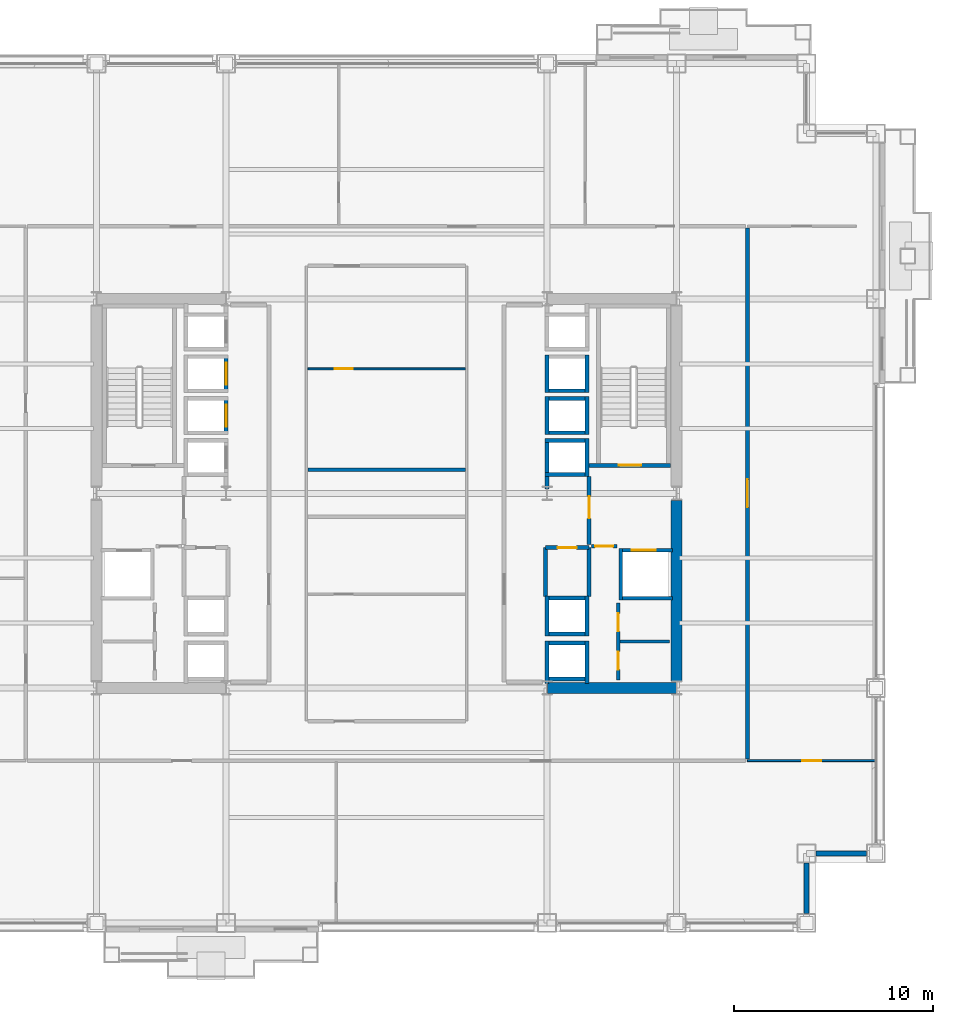
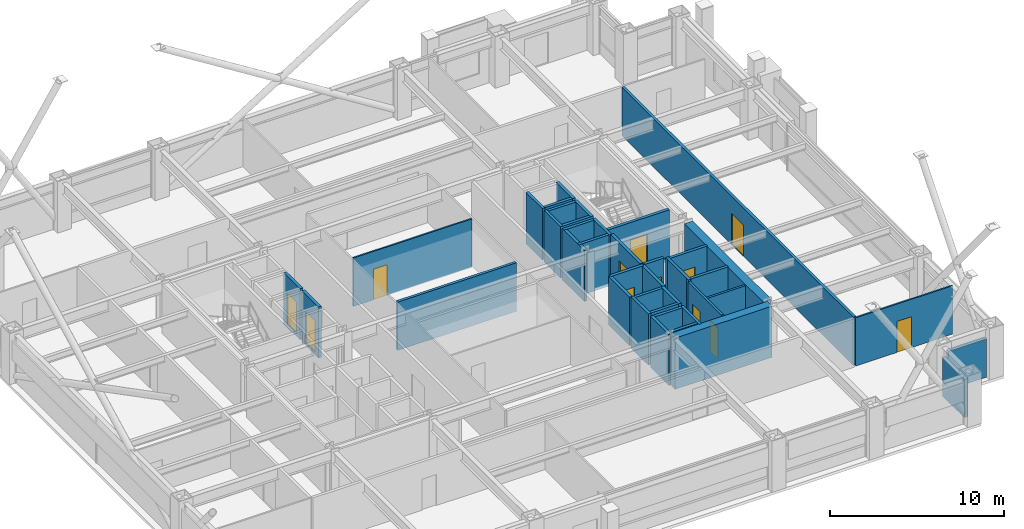
# One storey, part 28 of 33: 40 walls, 12 doors, 12 openings.
"""IFC4 building model written with IfcOpenShell, lengths in metres."""

import ifcopenshell
import ifcopenshell.guid

model = None  # the IFC model being written
_history = None  # IfcOwnerHistory: only IFC2X3 demands one
_inside = {}  # id of a spatial element -> (the spatial element, [elements in it])
_under = {}  # id of a project, library or spatial element -> (it, [spatial elements below it])
_declared = {}  # id of a project -> (the project, [libraries it declares])
_typed = {}  # id of a type object -> (the type object, [elements of that type])
_made_of = {}  # id of a material, layer set ... -> (it, [elements and type objects made of it])


def new_model(schema):
    """Start an empty IFC model of exactly this schema.

    Asked for "IFC4X3", IfcOpenShell would pick the latest addendum, in which some entities
    have other attributes; the version numbers below select the first issue.
    IFC2X3 requires an IfcOwnerHistory on every rooted entity: one is made here for all.
    """
    global model, _history
    if schema == "IFC4X3":
        model = ifcopenshell.file(schema_version=(4, 3, 0, 0))
    else:
        model = ifcopenshell.file(schema=schema)
    _inside.clear()
    _under.clear()
    _declared.clear()
    _typed.clear()
    _made_of.clear()
    _history = None
    if model.schema == "IFC2X3":
        org = make("IfcOrganization", Name="unknown")
        user = make(
            "IfcPersonAndOrganization",
            ThePerson=make("IfcPerson", FamilyName="unknown"),
            TheOrganization=org,
        )
        app = make(
            "IfcApplication",
            ApplicationDeveloper=org,
            Version="unknown",
            ApplicationFullName="unknown",
            ApplicationIdentifier="unknown",
        )
        _history = make(
            "IfcOwnerHistory",
            OwningUser=user,
            OwningApplication=app,
            ChangeAction="ADDED",
            CreationDate=0,
        )
    return model


def make(cls, **values):
    """One entity of the class cls with the attributes given. An attribute that is None is left unset."""
    return model.create_entity(
        cls, **{name: value for name, value in values.items() if value is not None}
    )


def rooted(cls, **values):
    """An entity with a GlobalId (a new one), such as an element, a storey or a relation."""
    return make(cls, GlobalId=ifcopenshell.guid.new(), OwnerHistory=_history, **values)


def si_unit(unit_type, name, prefix=None):
    """IfcSIUnit, for example si_unit("LENGTHUNIT", "METRE", prefix="MILLI")."""
    return make("IfcSIUnit", UnitType=unit_type, Prefix=prefix, Name=name)


def assignment(units):
    """IfcUnitAssignment: the units of a project."""
    return None if units is None else make("IfcUnitAssignment", Units=units)


def point(xyz):
    """IfcCartesianPoint."""
    return None if xyz is None else make("IfcCartesianPoint", Coordinates=xyz)


def direction(xyz):
    """IfcDirection."""
    return None if xyz is None else make("IfcDirection", DirectionRatios=xyz)


def frame(location, z_axis=None, x_axis=None):
    """IfcAxis2Placement3D, a coordinate frame: its origin and axes. An axis left out is left unset."""
    return make(
        "IfcAxis2Placement3D",
        Location=point(location),
        Axis=direction(z_axis),
        RefDirection=direction(x_axis),
    )


def frame_2d(location, x_axis=None):
    """IfcAxis2Placement2D, a coordinate frame in the plane: its origin and x axis."""
    return make(
        "IfcAxis2Placement2D", Location=point(location), RefDirection=direction(x_axis)
    )


def origin():
    """The frame at (0, 0, 0) with its axes left unset."""
    return frame((0.0, 0.0, 0.0))


def place(relative_to, where):
    """IfcLocalPlacement: puts the frame where relative to a parent placement (None: the world)."""
    return make(
        "IfcLocalPlacement", PlacementRelTo=relative_to, RelativePlacement=where
    )


def context(
    kind, dimensions, precision=None, world=None, true_north=None, identifier=None
):
    """IfcGeometricRepresentationContext, for example the 3D "Model" context."""
    return make(
        "IfcGeometricRepresentationContext",
        ContextIdentifier=identifier,
        ContextType=kind,
        CoordinateSpaceDimension=dimensions,
        Precision=precision,
        WorldCoordinateSystem=world,
        TrueNorth=true_north,
    )


def subcontext(parent, identifier, kind, view, scale=None):
    """IfcGeometricRepresentationSubContext, for example "Body" below "Model"."""
    return make(
        "IfcGeometricRepresentationSubContext",
        ContextIdentifier=identifier,
        ContextType=kind,
        ParentContext=parent,
        TargetScale=scale,
        TargetView=view,
    )


def project(units=None, contexts=None):
    """IfcProject with its units and contexts."""
    return rooted(
        "IfcProject",
        Name="project",
        RepresentationContexts=contexts,
        UnitsInContext=assignment(units),
    )


def spatial(cls, under=None, at=None, **own):
    """A site, building, storey or space (cls), placed at a placement, below another one or the project."""
    s = rooted(cls, ObjectPlacement=at, **own)
    if under is not None:
        _under.setdefault(under.id(), (under, []))[1].append(s)
    return s


def profile(cls, at=None, kind="AREA", **sizes):
    """A parametric profile (cls). Its sizes go by their IFC names, for example OverallWidth=200.0."""
    return make(cls, ProfileType=kind, Position=at, **sizes)


def rectangle(**sizes):
    """IfcRectangleProfileDef."""
    return profile("IfcRectangleProfileDef", **sizes)


def extrude(swept, where, along, depth):
    """IfcExtrudedAreaSolid: the profile swept, set in the frame where, extruded along a direction by depth."""
    return make(
        "IfcExtrudedAreaSolid",
        SweptArea=swept,
        Position=where,
        ExtrudedDirection=direction(along),
        Depth=depth,
    )


def shape(context_of_items, identifier, shape_type, items):
    """IfcShapeRepresentation: the items that make up one representation, for example the "Body"."""
    return make(
        "IfcShapeRepresentation",
        ContextOfItems=context_of_items,
        RepresentationIdentifier=identifier,
        RepresentationType=shape_type,
        Items=items,
    )


def material(Name=None, Category=None):
    """IfcMaterial."""
    return make("IfcMaterial", Name=Name, Category=Category)


def layer(
    of_material, thickness, ventilated=None, Name=None, Category=None, Priority=None
):
    """IfcMaterialLayer: one layer of a wall or slab, of a material (None: an air gap)."""
    return make(
        "IfcMaterialLayer",
        Material=of_material,
        LayerThickness=thickness,
        IsVentilated=ventilated,
        Name=Name,
        Category=Category,
        Priority=Priority,
    )


def layer_set(layers, Name=None):
    """IfcMaterialLayerSet."""
    return make("IfcMaterialLayerSet", MaterialLayers=layers, LayerSetName=Name)


def made_of(thing, what):
    """Note that an element or type object is made of a material, layer set ...; save() writes the relation."""
    if what is not None:
        _made_of.setdefault(what.id(), (what, []))[1].append(thing)
    return thing


def type_object(cls, material=None, **own):
    """A type object (cls), such as IfcWallType, which elements share."""
    return made_of(rooted(cls, **own), material)


def element(
    cls,
    number,
    at=None,
    inside=None,
    cuts=None,
    type_object=None,
    material=None,
    context=None,
    identifier="Body",
    shape_type=None,
    held_by="IfcProductDefinitionShape",
    body=None,
    shapes=None,
    **own,
):
    """One element of the class cls, such as IfcWall. Its Tag is "e" and its number.

    at: its placement. inside: the storey or other place that contains it. cuts: it is an
    opening in that element (IfcRelVoidsElement). A single representation is given by context,
    identifier, shape_type and body (its items); several are given by shapes. held_by: the class
    of the entity that holds the representations. save() writes the other relations.
    """
    e = rooted(cls, Tag="e%d" % number, ObjectPlacement=at, **own)
    if body is not None:
        shapes = [shape(context, identifier, shape_type, body)]
    if shapes is not None:
        e.Representation = make(held_by, Representations=shapes)
    if inside is not None:
        _inside.setdefault(inside.id(), (inside, []))[1].append(e)
    if cuts is not None:
        rooted(
            "IfcRelVoidsElement", RelatingBuildingElement=cuts, RelatedOpeningElement=e
        )
    if type_object is not None:
        _typed.setdefault(type_object.id(), (type_object, []))[1].append(e)
    return made_of(e, material)


def fill(opening, filler):
    """IfcRelFillsElement: the door or window that sits in an opening."""
    return rooted(
        "IfcRelFillsElement",
        RelatingOpeningElement=opening,
        RelatedBuildingElement=filler,
    )


def aggregate(whole, parts):
    """IfcRelAggregates: a whole, such as a stair, and the parts it consists of."""
    return rooted("IfcRelAggregates", RelatingObject=whole, RelatedObjects=parts)


def save(model, path):
    """Write the relations noted so far, then the file.

    IfcRelAggregates (storeys below a building ...), IfcRelContainedInSpatialStructure (elements
    in a storey), IfcRelDefinesByType, IfcRelAssociatesMaterial and IfcRelDeclares: one each for
    every whole, place, type object, material and project.
    """
    for whole, parts in _under.values():
        aggregate(whole, parts)
    for where, things in _inside.values():
        rooted(
            "IfcRelContainedInSpatialStructure",
            RelatedElements=things,
            RelatingStructure=where,
        )
    for kind, things in _typed.values():
        rooted("IfcRelDefinesByType", RelatedObjects=things, RelatingType=kind)
    for what, things in _made_of.values():
        rooted("IfcRelAssociatesMaterial", RelatedObjects=things, RelatingMaterial=what)
    for by, libraries in _declared.values():
        rooted("IfcRelDeclares", RelatingContext=by, RelatedDefinitions=libraries)
    model.write(path)


model = new_model("IFC4")

# Units and contexts
model_context = context("Model", 3, precision=1e-05, world=origin(), true_north=direction((0.0, 1.0)))
body_context = subcontext(model_context, "Body", "Model", "MODEL_VIEW")
ifc_project = project(units=[si_unit("LENGTHUNIT", "METRE"), si_unit("AREAUNIT", "SQUARE_METRE"), si_unit("VOLUMEUNIT", "CUBIC_METRE"), si_unit("PLANEANGLEUNIT", "RADIAN"), si_unit("MASSUNIT", "GRAM", prefix="KILO")], contexts=[model_context])

# Site, building, storey
site_placement = place(None, origin())
site = spatial("IfcSite", under=ifc_project, at=site_placement, CompositionType="ELEMENT")
building_placement = place(site_placement, origin())
building = spatial("IfcBuilding", under=site, at=building_placement, Name="Brelmoor Portico Tower", CompositionType="ELEMENT")
storey_placement = place(building_placement, frame((0.0, 0.0, 34.800048828125)))
storey = spatial("IfcBuildingStorey", under=building, at=storey_placement, Name="L08", CompositionType="ELEMENT", Elevation=34.800048828125)

# Walls
ifc_material_1 = material(Name="Concrete C60", Category="concrete")
ifc_layer_1 = layer(ifc_material_1, 0.550048828125)
ifc_layer_set_1 = layer_set([ifc_layer_1], Name="Concrete C60")
wall_type_1 = type_object("IfcWallType", Name="WL-CORE-550", PredefinedType="SHEAR", material=ifc_layer_set_1)
wall_1_placement = place(storey_placement, frame((8.070068359375, -9.75, -0.199951171875), z_axis=(0.0, 0.0, 1.0), x_axis=(1.0, 0.0, 0.0)))
element("IfcWall", 1, at=wall_1_placement, inside=storey, type_object=wall_type_1, Name="L08 EC South Shear Wall", PredefinedType="SHEAR", context=body_context, shape_type="SweptSolid", body=[
    extrude(rectangle(XDim=6.4599609375, YDim=0.550048828125, at=frame_2d((3.22998046875, 0.0))), origin(), (0.0, 0.0, 1.0), 3.599853515625),
])
wall_2_placement = place(storey_placement, frame((14.550048828125, -9.39990234375, -0.199951171875), z_axis=(0.0, 0.0, 1.0), x_axis=(0.0, 1.0, 0.0)))
element("IfcWall", 2, at=wall_2_placement, inside=storey, type_object=wall_type_1, Name="L08 EC Outer South Shear Wall", PredefinedType="SHEAR", context=body_context, shape_type="SweptSolid", body=[
    extrude(rectangle(XDim=9.0498046875, YDim=0.550048828125, at=frame_2d((4.52490234375, 0.0))), origin(), (0.0, 0.0, 1.0), 3.599853515625),
])
ifc_material_2 = material(Name="Precast Concrete C40 Insulated Facade Wall", Category="concrete")
ifc_layer_2 = layer(ifc_material_2, 0.25)
ifc_layer_set_2 = layer_set([ifc_layer_2], Name="Precast Concrete C40 Insulated Facade Wall")
wall_type_2 = type_object("IfcWallType", Name="WL-EXT-250", PredefinedType="STANDARD", material=ifc_layer_set_2)
for number, where, z_axis, x_axis, name in (
    (3, (21.534912109375, -18.050048828125, 0.0), (0.0, 0.0, 1.0), (1.0, 0.0, 0.0), "L08 Corner Notch Facade Wall NSEH1"),
    (4, (21.050048828125, -21.06494140625, 0.0), (0.0, 0.0, 1.0), (0.0, 1.0, 0.0), "L08 Corner Notch Facade Wall NSEV1"),
):
    element("IfcWall", number, at=place(storey_placement, frame(where, z_axis=z_axis, x_axis=x_axis)), inside=storey, type_object=wall_type_2, Name=name, PredefinedType="STANDARD", context=body_context, shape_type="SweptSolid", body=[
        extrude(rectangle(XDim=2.530029296875, YDim=0.25, at=frame_2d((1.26513671875, 0.0))), origin(), (0.0, 0.0, 1.0), 2.699951171875),
    ])

# Wall, opening, door
ifc_material_3 = material(Name="Demountable Glazed Office Partition", Category="aluminium")
ifc_layer_3 = layer(ifc_material_3, 0.10009765625)
ifc_layer_set_3 = layer_set([ifc_layer_3], Name="Demountable Glazed Office Partition")
wall_type_3 = type_object("IfcWallType", Name="WL-PART-100", PredefinedType="PARTITIONING", material=ifc_layer_set_3)
wall_3_placement = place(storey_placement, frame((-3.949951171875, 6.239990234375, 0.0), z_axis=(0.0, 0.0, 1.0), x_axis=(1.0, 0.0, 0.0)))
wall_3 = element("IfcWall", 5, at=wall_3_placement, inside=storey, type_object=wall_type_3, Name="L08 Central Archive Divider", PredefinedType="PARTITIONING", context=body_context, shape_type="SweptSolid", body=[
    extrude(rectangle(XDim=7.89990234375, YDim=0.10009765625, at=frame_2d((3.949951171875, 0.0))), origin(), (0.0, 0.0, 1.0), 3.39990234375),
])
opening_1_placement = place(wall_3_placement, frame((1.35009765625, 0.0, 0.0)))
opening_1 = element("IfcOpeningElement", 6, at=opening_1_placement, cuts=wall_3, Name="Opening D-IN1", PredefinedType="OPENING", context=body_context, shape_type="SweptSolid", body=[
    extrude(rectangle(XDim=0.89990234375, YDim=2.14990234375, at=frame_2d((0.449951171875, 1.074951171875))), frame((0.0, 0.06005859375, 0.0), z_axis=(0.0, -1.0, 0.0), x_axis=(1.0, 0.0, 0.0)), (0.0, 0.0, 1.0), 0.1201171875),
])
ifc_material_4 = material(Name="Lacquered Timber Suite Door", Category="wood")
door_type_1 = type_object("IfcDoorType", Name="DR-INT-900", OperationType="NOTDEFINED", PredefinedType="DOOR", material=ifc_material_4)
door_1_placement = place(opening_1_placement, origin())
door_1 = element("IfcDoor", 7, at=door_1_placement, inside=storey, type_object=door_type_1, Name="D-0349 L08 Central File Room Door", OperationType="SINGLE_SWING_LEFT", OverallHeight=2.14990234375, OverallWidth=0.89990234375, PredefinedType="DOOR", context=body_context, shape_type="SweptSolid", body=[
    extrude(rectangle(XDim=0.89990234375, YDim=2.14990234375, at=frame_2d((0.449951171875, 1.074951171875))), frame((0.0, 0.02490234375, 0.0), z_axis=(0.0, -1.0, 0.0), x_axis=(1.0, 0.0, 0.0)), (0.0, 0.0, 1.0), 0.050048828125),
])
fill(opening_1, door_1)

wall_4_placement = place(storey_placement, frame((18.10009765625, -13.39990234375, 0.0), z_axis=(0.0, 0.0, 1.0), x_axis=(1.0, 0.0, 0.0)))
wall_4 = element("IfcWall", 8, at=wall_4_placement, inside=storey, type_object=wall_type_3, Name="L08 South Outer Closure ER", PredefinedType="PARTITIONING", context=body_context, shape_type="SweptSolid", body=[
    extrude(rectangle(XDim=6.4599609375, YDim=0.10009765625, at=frame_2d((3.22998046875, 0.0))), origin(), (0.0, 0.0, 1.0), 3.39990234375),
])
opening_2_placement = place(wall_4_placement, frame((2.75, 0.0, 0.0)))
opening_2 = element("IfcOpeningElement", 9, at=opening_2_placement, cuts=wall_4, Name="Opening D-IN2", PredefinedType="OPENING", context=body_context, shape_type="SweptSolid", body=[
    extrude(rectangle(XDim=0.9599609375, YDim=2.179931640625, at=frame_2d((0.47998046875, 1.08984375))), frame((0.0, 0.06005859375, 0.0), z_axis=(0.0, -1.0, 0.0), x_axis=(1.0, 0.0, 0.0)), (0.0, 0.0, 1.0), 0.1201171875),
])
door_type_2 = type_object("IfcDoorType", Name="DR-INT-950", OperationType="NOTDEFINED", PredefinedType="DOOR", material=ifc_material_4)
door_2_placement = place(opening_2_placement, origin())
door_2 = element("IfcDoor", 10, at=door_2_placement, inside=storey, type_object=door_type_2, Name="D-0376 L08 ER South Corner Suite Door", OperationType="SINGLE_SWING_LEFT", OverallHeight=2.179931640625, OverallWidth=0.9599609375, PredefinedType="DOOR", context=body_context, shape_type="SweptSolid", body=[
    extrude(rectangle(XDim=0.9599609375, YDim=2.179931640625, at=frame_2d((0.47998046875, 1.08984375))), frame((0.0, 0.02490234375, 0.0), z_axis=(0.0, -1.0, 0.0), x_axis=(1.0, 0.0, 0.0)), (0.0, 0.0, 1.0), 0.050048828125),
])
fill(opening_2, door_2)

# Wall
ifc_material_5 = material(Name="Insulated Stud Suite Partition", Category="gypsum")
ifc_layer_4 = layer(ifc_material_5, 0.139892578125)
ifc_layer_set_4 = layer_set([ifc_layer_4], Name="Insulated Stud Suite Partition")
wall_type_4 = type_object("IfcWallType", Name="WL-PART-140", PredefinedType="PARTITIONING", material=ifc_layer_set_4)
wall_5_placement = place(storey_placement, frame((11.699951171875, -7.425048828125, 0.0), z_axis=(0.0, 0.0, 1.0), x_axis=(1.0, 0.0, 0.0)))
element("IfcWall", 11, at=wall_5_placement, inside=storey, type_object=wall_type_4, Name="L08 E Core WC Divider 1", PredefinedType="PARTITIONING", context=body_context, shape_type="SweptSolid", body=[
    extrude(rectangle(XDim=2.5, YDim=0.139892578125, at=frame_2d((1.25, 0.0))), origin(), (0.0, 0.0, 1.0), 3.39990234375),
])

# Wall, openings, doors
ifc_material_6 = material(Name="Twin-Frame Acoustic Partition", Category="gypsum")
ifc_layer_5 = layer(ifc_material_6, 0.159912109375)
ifc_layer_set_5 = layer_set([ifc_layer_5], Name="Twin-Frame Acoustic Partition")
wall_type_5 = type_object("IfcWallType", Name="WL-PART-160", PredefinedType="PARTITIONING", material=ifc_layer_set_5)
wall_6_placement = place(storey_placement, frame((11.6201171875, -9.35009765625, 0.0), z_axis=(0.0, 0.0, 1.0), x_axis=(0.0, 1.0, 0.0)))
wall_6 = element("IfcWall", 12, at=wall_6_placement, inside=storey, type_object=wall_type_5, Name="L08 E Core Service Front Wall", PredefinedType="PARTITIONING", context=body_context, shape_type="SweptSolid", body=[
    extrude(rectangle(XDim=3.85009765625, YDim=0.159912109375, at=frame_2d((1.925048828125, 0.0))), origin(), (0.0, 0.0, 1.0), 3.39990234375),
])
opening_3_placement = place(wall_6_placement, frame((0.512451171875, 0.0, 0.0)))
opening_3 = element("IfcOpeningElement", 13, at=opening_3_placement, cuts=wall_6, Name="Opening D-IN1", PredefinedType="OPENING", context=body_context, shape_type="SweptSolid", body=[
    extrude(rectangle(XDim=0.89990234375, YDim=2.14990234375, at=frame_2d((0.449951171875, 1.074951171875))), frame((0.0, 0.08984375, 0.0), z_axis=(0.0, -1.0, 0.0), x_axis=(1.0, 0.0, 0.0)), (0.0, 0.0, 1.0), 0.179931640625),
])
opening_4_placement = place(wall_6_placement, frame((2.4375, 0.0, 0.0)))
opening_4 = element("IfcOpeningElement", 14, at=opening_4_placement, cuts=wall_6, Name="Opening D-IN1", PredefinedType="OPENING", context=body_context, shape_type="SweptSolid", body=[
    extrude(rectangle(XDim=0.89990234375, YDim=2.14990234375, at=frame_2d((0.449951171875, 1.074951171875))), frame((0.0, 0.08984375, 0.0), z_axis=(0.0, -1.0, 0.0), x_axis=(1.0, 0.0, 0.0)), (0.0, 0.0, 1.0), 0.179931640625),
])
door_3_placement = place(opening_3_placement, origin())
door_3 = element("IfcDoor", 15, at=door_3_placement, inside=storey, type_object=door_type_1, Name="D-0352 L08 E Male WC Door", OperationType="SINGLE_SWING_LEFT", OverallHeight=2.14990234375, OverallWidth=0.89990234375, PredefinedType="DOOR", context=body_context, shape_type="SweptSolid", body=[
    extrude(rectangle(XDim=0.89990234375, YDim=2.14990234375, at=frame_2d((0.449951171875, 1.074951171875))), frame((0.0, 0.02490234375, 0.0), z_axis=(0.0, -1.0, 0.0), x_axis=(1.0, 0.0, 0.0)), (0.0, 0.0, 1.0), 0.050048828125),
])
fill(opening_3, door_3)
door_4_placement = place(opening_4_placement, origin())
door_4 = element("IfcDoor", 16, at=door_4_placement, inside=storey, type_object=door_type_1, Name="D-0353 L08 E Female WC Door", OperationType="SINGLE_SWING_RIGHT", OverallHeight=2.14990234375, OverallWidth=0.89990234375, PredefinedType="DOOR", context=body_context, shape_type="SweptSolid", body=[
    extrude(rectangle(XDim=0.89990234375, YDim=2.14990234375, at=frame_2d((0.449951171875, 1.074951171875))), frame((0.0, 0.02490234375, 0.0), z_axis=(0.0, -1.0, 0.0), x_axis=(1.0, 0.0, 0.0)), (0.0, 0.0, 1.0), 0.050048828125),
])
fill(opening_4, door_4)

# Wall
ifc_material_7 = material(Name="Acoustic Corridor Fire Partition", Category="gypsum")
ifc_layer_6 = layer(ifc_material_7, 0.179931640625)
ifc_layer_set_6 = layer_set([ifc_layer_6], Name="Acoustic Corridor Fire Partition")
wall_type_6 = type_object("IfcWallType", Name="WL-PART-180", PredefinedType="PARTITIONING", material=ifc_layer_set_6)
wall_7_placement = place(storey_placement, frame((-3.949951171875, 1.179931640625, 0.0), z_axis=(0.0, 0.0, 1.0), x_axis=(1.0, 0.0, 0.0)))
element("IfcWall", 17, at=wall_7_placement, inside=storey, type_object=wall_type_6, Name="L08 Central Meeting South Wall", PredefinedType="PARTITIONING", context=body_context, shape_type="SweptSolid", body=[
    extrude(rectangle(XDim=7.89990234375, YDim=0.179931640625, at=frame_2d((3.949951171875, 0.0))), origin(), (0.0, 0.0, 1.0), 3.39990234375),
])

# Wall, opening, door
wall_8_placement = place(storey_placement, frame((18.10009765625, -13.320068359375, 0.0), z_axis=(0.0, 0.0, 1.0), x_axis=(0.0, 1.0, 0.0)))
wall_8 = element("IfcWall", 18, at=wall_8_placement, inside=storey, type_object=wall_type_6, Name="L08 E Wing Corridor Wall", PredefinedType="PARTITIONING", context=body_context, shape_type="SweptSolid", body=[
    extrude(rectangle(XDim=26.64013671875, YDim=0.179931640625, at=frame_2d((13.320068359375, 0.0))), origin(), (0.0, 0.0, 1.0), 3.39990234375),
])
opening_5_placement = place(wall_8_placement, frame((12.6201171875, 0.0, 0.0)))
opening_5 = element("IfcOpeningElement", 19, at=opening_5_placement, cuts=wall_8, Name="Opening D-SU2", PredefinedType="OPENING", context=body_context, shape_type="SweptSolid", body=[
    extrude(rectangle(XDim=1.39990234375, YDim=2.199951171875, at=frame_2d((0.699951171875, 1.10009765625))), frame((0.0, 0.099853515625, 0.0), z_axis=(0.0, -1.0, 0.0), x_axis=(1.0, 0.0, 0.0)), (0.0, 0.0, 1.0), 0.199951171875),
])
ifc_material_8 = material(Name="Double-Leaf Acoustic Suite Door", Category="timber")
door_type_3 = type_object("IfcDoorType", Name="DR-SUITE-1400", OperationType="NOTDEFINED", PredefinedType="DOOR", material=ifc_material_8)
door_5_placement = place(opening_5_placement, origin())
door_5 = element("IfcDoor", 20, at=door_5_placement, inside=storey, type_object=door_type_3, Name="D-0381 L08 E Project Mail Room 1 Door", OperationType="DOUBLE_DOOR_SINGLE_SWING", OverallHeight=2.199951171875, OverallWidth=1.39990234375, PredefinedType="DOOR", context=body_context, shape_type="SweptSolid", body=[
    extrude(rectangle(XDim=1.39990234375, YDim=2.199951171875, at=frame_2d((0.699951171875, 1.10009765625))), frame((0.0, 0.02490234375, 0.0), z_axis=(0.0, -1.0, 0.0), x_axis=(1.0, 0.0, 0.0)), (0.0, 0.0, 1.0), 0.050048828125),
])
fill(opening_5, door_5)

ifc_material_9 = material(Name="Double-Stud Gypsum Fire Partition", Category="gypsum")
ifc_layer_7 = layer(ifc_material_9, 0.199951171875)
ifc_layer_set_7 = layer_set([ifc_layer_7], Name="Double-Stud Gypsum Fire Partition")
wall_type_7 = type_object("IfcWallType", Name="WL-PART-200", PredefinedType="PARTITIONING", material=ifc_layer_set_7)
wall_9_placement = place(storey_placement, frame((10.159912109375, -2.550048828125, 0.0), z_axis=(0.0, 0.0, 1.0), x_axis=(0.0, 1.0, 0.0)))
wall_9 = element("IfcWall", 21, at=wall_9_placement, inside=storey, type_object=wall_type_7, Name="L08 E Firefighting Lobby Wall", PredefinedType="PARTITIONING", context=body_context, shape_type="SweptSolid", body=[
    extrude(rectangle(XDim=3.400146484375, YDim=0.199951171875, at=frame_2d((1.7001953125, 0.0))), origin(), (0.0, 0.0, 1.0), 3.39990234375),
])
opening_6_placement = place(wall_9_placement, frame((1.300048828125, 0.0, 0.0)))
opening_6 = element("IfcOpeningElement", 22, at=opening_6_placement, cuts=wall_9, Name="Opening D-FR1", PredefinedType="OPENING", context=body_context, shape_type="SweptSolid", body=[
    extrude(rectangle(XDim=1.10009765625, YDim=2.14990234375, at=frame_2d((0.550048828125, 1.074951171875))), frame((0.0, 0.10986328125, 0.0), z_axis=(0.0, -1.0, 0.0), x_axis=(1.0, 0.0, 0.0)), (0.0, 0.0, 1.0), 0.219970703125),
])
ifc_material_10 = material(Name="Painted Galvanised Steel Fire Door", Category="steel")
door_type_4 = type_object("IfcDoorType", Name="DR-FIRE-1100", OperationType="NOTDEFINED", PredefinedType="DOOR", material=ifc_material_10)
door_6_placement = place(opening_6_placement, origin())
door_6 = element("IfcDoor", 23, at=door_6_placement, inside=storey, type_object=door_type_4, Name="D-0360 L08 E Firefighting Lobby Door", OperationType="SINGLE_SWING_RIGHT", OverallHeight=2.14990234375, OverallWidth=1.10009765625, PredefinedType="DOOR", context=body_context, shape_type="SweptSolid", body=[
    extrude(rectangle(XDim=1.10009765625, YDim=2.14990234375, at=frame_2d((0.550048828125, 1.074951171875))), frame((0.0, 0.02490234375, 0.0), z_axis=(0.0, -1.0, 0.0), x_axis=(1.0, 0.0, 0.0)), (0.0, 0.0, 1.0), 0.050048828125),
])
fill(opening_6, door_6)

wall_10_placement = place(storey_placement, frame((10.280029296875, -2.64990234375, 0.0), z_axis=(0.0, 0.0, 1.0), x_axis=(1.0, 0.0, 0.0)))
wall_10 = element("IfcWall", 24, at=wall_10_placement, inside=storey, type_object=wall_type_7, Name="L08 E Firefighting Lobby South Wall", PredefinedType="PARTITIONING", context=body_context, shape_type="SweptSolid", body=[
    extrude(rectangle(XDim=1.27001953125, YDim=0.199951171875, at=frame_2d((0.635009765625, 0.0))), origin(), (0.0, 0.0, 1.0), 3.39990234375),
])
opening_7_placement = place(wall_10_placement, frame((0.18505859375, 0.0, 0.0)))
opening_7 = element("IfcOpeningElement", 25, at=opening_7_placement, cuts=wall_10, Name="Opening D-IN1", PredefinedType="OPENING", context=body_context, shape_type="SweptSolid", body=[
    extrude(rectangle(XDim=0.89990234375, YDim=2.14990234375, at=frame_2d((0.449951171875, 1.074951171875))), frame((0.0, 0.10986328125, 0.0), z_axis=(0.0, -1.0, 0.0), x_axis=(1.0, 0.0, 0.0)), (0.0, 0.0, 1.0), 0.219970703125),
])
door_7_placement = place(opening_7_placement, origin())
door_7 = element("IfcDoor", 26, at=door_7_placement, inside=storey, type_object=door_type_1, Name="D-0354 L08 E Core Service Vestibule Door", OperationType="SINGLE_SWING_LEFT", OverallHeight=2.14990234375, OverallWidth=0.89990234375, PredefinedType="DOOR", context=body_context, shape_type="SweptSolid", body=[
    extrude(rectangle(XDim=0.89990234375, YDim=2.14990234375, at=frame_2d((0.449951171875, 1.074951171875))), frame((0.0, 0.02490234375, 0.0), z_axis=(0.0, -1.0, 0.0), x_axis=(1.0, 0.0, 0.0)), (0.0, 0.0, 1.0), 0.050048828125),
])
fill(opening_7, door_7)

wall_11_placement = place(storey_placement, frame((7.9599609375, -2.719970703125, 0.0), z_axis=(0.0, 0.0, 1.0), x_axis=(1.0, 0.0, 0.0)))
wall_11 = element("IfcWall", 27, at=wall_11_placement, inside=storey, type_object=wall_type_7, Name="L08 E Electrical Switchgear Closet Wall", PredefinedType="PARTITIONING", context=body_context, shape_type="SweptSolid", body=[
    extrude(rectangle(XDim=2.199951171875, YDim=0.199951171875, at=frame_2d((1.10009765625, 0.0))), origin(), (0.0, 0.0, 1.0), 3.39990234375),
])
opening_8_placement = place(wall_11_placement, frame((0.6201171875, 0.0, 0.0)))
opening_8 = element("IfcOpeningElement", 28, at=opening_8_placement, cuts=wall_11, Name="Opening D-FR4", PredefinedType="OPENING", context=body_context, shape_type="SweptSolid", body=[
    extrude(rectangle(XDim=0.949951171875, YDim=2.10009765625, at=frame_2d((0.47509765625, 1.050048828125))), frame((0.0, 0.10986328125, 0.0), z_axis=(0.0, -1.0, 0.0), x_axis=(1.0, 0.0, 0.0)), (0.0, 0.0, 1.0), 0.219970703125),
])
ifc_material_11 = material(Name="Painted Galvanised Steel Riser Door", Category="steel")
door_type_5 = type_object("IfcDoorType", Name="DR-FIRE-950", OperationType="NOTDEFINED", PredefinedType="DOOR", material=ifc_material_11)
door_8_placement = place(opening_8_placement, origin())
door_8 = element("IfcDoor", 29, at=door_8_placement, inside=storey, type_object=door_type_5, Name="D-0358 L08 E Electrical Switchgear Closet Door", OperationType="SINGLE_SWING_RIGHT", OverallHeight=2.10009765625, OverallWidth=0.949951171875, PredefinedType="DOOR", context=body_context, shape_type="SweptSolid", body=[
    extrude(rectangle(XDim=0.949951171875, YDim=2.10009765625, at=frame_2d((0.47509765625, 1.050048828125))), frame((0.0, 0.02490234375, 0.0), z_axis=(0.0, -1.0, 0.0), x_axis=(1.0, 0.0, 0.0)), (0.0, 0.0, 1.0), 0.050048828125),
])
fill(opening_8, door_8)

# Walls
for number, where, z_axis, x_axis, name in (
    (30, (7.9599609375, -5.159912109375, 0.0), (0.0, 0.0, 1.0), (0.0, 1.0, 0.0), "L08 E Electrical Switchgear Closet Inner Wall"),
    (31, (10.159912109375, -5.159912109375, 0.0), (0.0, 0.0, 1.0), (0.0, 1.0, 0.0), "L08 E Electrical Switchgear Closet Outer Wall"),
):
    element("IfcWall", number, at=place(storey_placement, frame(where, z_axis=z_axis, x_axis=x_axis)), inside=storey, type_object=wall_type_7, Name=name, PredefinedType="PARTITIONING", context=body_context, shape_type="SweptSolid", body=[
        extrude(rectangle(XDim=2.43994140625, YDim=0.199951171875, at=frame_2d((1.219970703125, 0.0))), origin(), (0.0, 0.0, 1.0), 3.39990234375),
    ])

# Wall, opening, door
ifc_material_12 = material(Name="Precast Concrete C40", Category="concrete")
ifc_layer_8 = layer(ifc_material_12, 0.18994140625)
ifc_layer_set_8 = layer_set([ifc_layer_8], Name="Precast Concrete C40")
wall_type_8 = type_object("IfcWallType", Name="WL-SHAFT-180", PredefinedType="SOLIDWALL", material=ifc_layer_set_8)
wall_12_placement = place(storey_placement, frame((-8.044921875, 2.949951171875, -0.199951171875), z_axis=(0.0, 0.0, 1.0), x_axis=(0.0, 1.0, 0.0)))
wall_12 = element("IfcWall", 32, at=wall_12_placement, inside=storey, type_object=wall_type_8, Name="L08 Lift PL2 Hoistway Front Wall", PredefinedType="SOLIDWALL", context=body_context, shape_type="SweptSolid", body=[
    extrude(rectangle(XDim=1.900146484375, YDim=0.18994140625, at=frame_2d((0.9501953125, 0.0))), origin(), (0.0, 0.0, 1.0), 3.599853515625),
])
opening_9_placement = place(wall_12_placement, frame((0.39990234375, 0.0, 0.199951171875)))
opening_9 = element("IfcOpeningElement", 33, at=opening_9_placement, cuts=wall_12, Name="Opening LD-01", PredefinedType="OPENING", context=body_context, shape_type="SweptSolid", body=[
    extrude(rectangle(XDim=1.10009765625, YDim=2.199951171875, at=frame_2d((0.550048828125, 1.10009765625))), frame((0.0, 0.10498046875, 0.0), z_axis=(0.0, -1.0, 0.0), x_axis=(1.0, 0.0, 0.0)), (0.0, 0.0, 1.0), 0.2099609375),
])
ifc_material_13 = material(Name="Brushed Stainless Steel Sliding Lift Door", Category="steel")
door_type_6 = type_object("IfcDoorType", Name="DR-LIFT-1100", OperationType="NOTDEFINED", PredefinedType="DOOR", material=ifc_material_13)
door_9_placement = place(opening_9_placement, origin())
door_9 = element("IfcDoor", 34, at=door_9_placement, inside=storey, type_object=door_type_6, Name="D-0388 L08 Lift PL2 Sliding Landing Door", OperationType="SLIDING_TO_LEFT", OverallHeight=2.199951171875, OverallWidth=1.10009765625, PredefinedType="DOOR", context=body_context, shape_type="SweptSolid", body=[
    extrude(rectangle(XDim=1.10009765625, YDim=2.199951171875, at=frame_2d((0.550048828125, 1.10009765625))), frame((0.0, 0.02490234375, 0.0), z_axis=(0.0, -1.0, 0.0), x_axis=(1.0, 0.0, 0.0)), (0.0, 0.0, 1.0), 0.050048828125),
])
fill(opening_9, door_9)

wall_13_placement = place(storey_placement, frame((-8.044921875, 5.050048828125, -0.199951171875), z_axis=(0.0, 0.0, 1.0), x_axis=(0.0, 1.0, 0.0)))
wall_13 = element("IfcWall", 35, at=wall_13_placement, inside=storey, type_object=wall_type_8, Name="L08 Lift PL3 Hoistway Front Wall", PredefinedType="SOLIDWALL", context=body_context, shape_type="SweptSolid", body=[
    extrude(rectangle(XDim=1.89990234375, YDim=0.18994140625, at=frame_2d((0.949951171875, 0.0))), origin(), (0.0, 0.0, 1.0), 3.599853515625),
])
opening_10_placement = place(wall_13_placement, frame((0.39990234375, 0.0, 0.199951171875)))
opening_10 = element("IfcOpeningElement", 36, at=opening_10_placement, cuts=wall_13, Name="Opening LD-01", PredefinedType="OPENING", context=body_context, shape_type="SweptSolid", body=[
    extrude(rectangle(XDim=1.10009765625, YDim=2.199951171875, at=frame_2d((0.550048828125, 1.10009765625))), frame((0.0, 0.10498046875, 0.0), z_axis=(0.0, -1.0, 0.0), x_axis=(1.0, 0.0, 0.0)), (0.0, 0.0, 1.0), 0.2099609375),
])
door_10_placement = place(opening_10_placement, origin())
door_10 = element("IfcDoor", 37, at=door_10_placement, inside=storey, type_object=door_type_6, Name="D-0389 L08 Lift PL3 Sliding Landing Door", OperationType="SLIDING_TO_LEFT", OverallHeight=2.199951171875, OverallWidth=1.10009765625, PredefinedType="DOOR", context=body_context, shape_type="SweptSolid", body=[
    extrude(rectangle(XDim=1.10009765625, YDim=2.199951171875, at=frame_2d((0.550048828125, 1.10009765625))), frame((0.0, 0.02490234375, 0.0), z_axis=(0.0, -1.0, 0.0), x_axis=(1.0, 0.0, 0.0)), (0.0, 0.0, 1.0), 0.050048828125),
])
fill(opening_10, door_10)

# Walls
wall_14_placement = place(storey_placement, frame((8.044921875, 0.2099609375, -0.199951171875), z_axis=(0.0, 0.0, 1.0), x_axis=(0.0, 1.0, 0.0)))
element("IfcWall", 38, at=wall_14_placement, inside=storey, type_object=wall_type_8, Name="L08 Lift PM1 Hoistway Front Wall", PredefinedType="SOLIDWALL", context=body_context, shape_type="SweptSolid", body=[
    extrude(rectangle(XDim=2.5400390625, YDim=0.18994140625, at=frame_2d((1.27001953125, 0.0))), origin(), (0.0, 0.0, 1.0), 3.599853515625),
])
wall_15_placement = place(storey_placement, frame((10.054931640625, 0.85009765625, -0.199951171875), z_axis=(0.0, 0.0, 1.0), x_axis=(0.0, 1.0, 0.0)))
element("IfcWall", 39, at=wall_15_placement, inside=storey, type_object=wall_type_8, Name="L08 Lift PM1 Hoistway Back Wall", PredefinedType="SOLIDWALL", context=body_context, shape_type="SweptSolid", body=[
    extrude(rectangle(XDim=1.89990234375, YDim=0.18994140625, at=frame_2d((0.949951171875, 0.0))), origin(), (0.0, 0.0, 1.0), 3.599853515625),
])
for number, where, z_axis, x_axis, name in (
    (40, (7.949951171875, 2.655029296875, -0.199951171875), (0.0, 0.0, 1.0), (1.0, 0.0, 0.0), "L08 Lift PM1 Hoistway North Wall"),
    (41, (7.949951171875, 0.945068359375, -0.199951171875), (0.0, 0.0, 1.0), (1.0, 0.0, 0.0), "L08 Lift PM1 Hoistway South Wall"),
):
    element("IfcWall", number, at=place(storey_placement, frame(where, z_axis=z_axis, x_axis=x_axis)), inside=storey, type_object=wall_type_8, Name=name, PredefinedType="SOLIDWALL", context=body_context, shape_type="SweptSolid", body=[
        extrude(rectangle(XDim=2.199951171875, YDim=0.18994140625, at=frame_2d((1.10009765625, 0.0))), origin(), (0.0, 0.0, 1.0), 3.599853515625),
    ])
for number, where, z_axis, x_axis, name in (
    (42, (8.044921875, 2.949951171875, -0.199951171875), (0.0, 0.0, 1.0), (0.0, 1.0, 0.0), "L08 Lift PM2 Hoistway Front Wall"),
    (43, (10.054931640625, 2.949951171875, -0.199951171875), (0.0, 0.0, 1.0), (0.0, 1.0, 0.0), "L08 Lift PM2 Hoistway Back Wall"),
):
    element("IfcWall", number, at=place(storey_placement, frame(where, z_axis=z_axis, x_axis=x_axis)), inside=storey, type_object=wall_type_8, Name=name, PredefinedType="SOLIDWALL", context=body_context, shape_type="SweptSolid", body=[
        extrude(rectangle(XDim=1.900146484375, YDim=0.18994140625, at=frame_2d((0.9501953125, 0.0))), origin(), (0.0, 0.0, 1.0), 3.599853515625),
    ])
for number, where, z_axis, x_axis, name in (
    (44, (7.949951171875, 4.7548828125, -0.199951171875), (0.0, 0.0, 1.0), (1.0, 0.0, 0.0), "L08 Lift PM2 Hoistway North Wall"),
    (45, (7.949951171875, 3.044921875, -0.199951171875), (0.0, 0.0, 1.0), (1.0, 0.0, 0.0), "L08 Lift PM2 Hoistway South Wall"),
):
    element("IfcWall", number, at=place(storey_placement, frame(where, z_axis=z_axis, x_axis=x_axis)), inside=storey, type_object=wall_type_8, Name=name, PredefinedType="SOLIDWALL", context=body_context, shape_type="SweptSolid", body=[
        extrude(rectangle(XDim=2.199951171875, YDim=0.18994140625, at=frame_2d((1.10009765625, 0.0))), origin(), (0.0, 0.0, 1.0), 3.599853515625),
    ])
for number, where, z_axis, x_axis, name in (
    (46, (8.044921875, 5.050048828125, -0.199951171875), (0.0, 0.0, 1.0), (0.0, 1.0, 0.0), "L08 Lift PM3 Hoistway Front Wall"),
    (47, (10.054931640625, 5.050048828125, -0.199951171875), (0.0, 0.0, 1.0), (0.0, 1.0, 0.0), "L08 Lift PM3 Hoistway Back Wall"),
):
    element("IfcWall", number, at=place(storey_placement, frame(where, z_axis=z_axis, x_axis=x_axis)), inside=storey, type_object=wall_type_8, Name=name, PredefinedType="SOLIDWALL", context=body_context, shape_type="SweptSolid", body=[
        extrude(rectangle(XDim=1.89990234375, YDim=0.18994140625, at=frame_2d((0.949951171875, 0.0))), origin(), (0.0, 0.0, 1.0), 3.599853515625),
    ])
wall_16_placement = place(storey_placement, frame((7.949951171875, 5.14501953125, -0.199951171875), z_axis=(0.0, 0.0, 1.0), x_axis=(1.0, 0.0, 0.0)))
element("IfcWall", 48, at=wall_16_placement, inside=storey, type_object=wall_type_8, Name="L08 Lift PM3 Hoistway South Wall", PredefinedType="SOLIDWALL", context=body_context, shape_type="SweptSolid", body=[
    extrude(rectangle(XDim=2.199951171875, YDim=0.18994140625, at=frame_2d((1.10009765625, 0.0))), origin(), (0.0, 0.0, 1.0), 3.599853515625),
])
for number, where, z_axis, x_axis, name in (
    (49, (8.044921875, -9.52001953125, -0.199951171875), (0.0, 0.0, 1.0), (0.0, 1.0, 0.0), "L08 Lift PH3 Hoistway Front Wall"),
    (50, (10.054931640625, -9.52001953125, -0.199951171875), (0.0, 0.0, 1.0), (0.0, 1.0, 0.0), "L08 Lift PH3 Hoistway Back Wall"),
):
    element("IfcWall", number, at=place(storey_placement, frame(where, z_axis=z_axis, x_axis=x_axis)), inside=storey, type_object=wall_type_8, Name=name, PredefinedType="SOLIDWALL", context=body_context, shape_type="SweptSolid", body=[
        extrude(rectangle(XDim=2.1201171875, YDim=0.18994140625, at=frame_2d((1.06005859375, 0.0))), origin(), (0.0, 0.0, 1.0), 3.599853515625),
    ])
for number, where, z_axis, x_axis, name in (
    (51, (7.949951171875, -7.4951171875, -0.199951171875), (0.0, 0.0, 1.0), (1.0, 0.0, 0.0), "L08 Lift PH3 Hoistway North Wall"),
    (52, (7.949951171875, -9.304931640625, -0.199951171875), (0.0, 0.0, 1.0), (1.0, 0.0, 0.0), "L08 Lift PH3 Hoistway South Wall"),
):
    element("IfcWall", number, at=place(storey_placement, frame(where, z_axis=z_axis, x_axis=x_axis)), inside=storey, type_object=wall_type_8, Name=name, PredefinedType="SOLIDWALL", context=body_context, shape_type="SweptSolid", body=[
        extrude(rectangle(XDim=2.199951171875, YDim=0.18994140625, at=frame_2d((1.10009765625, 0.0))), origin(), (0.0, 0.0, 1.0), 3.599853515625),
    ])
for number, where, z_axis, x_axis, name in (
    (53, (8.044921875, -7.14990234375, -0.199951171875), (0.0, 0.0, 1.0), (0.0, 1.0, 0.0), "L08 Lift PH4 Hoistway Front Wall"),
    (54, (10.054931640625, -7.14990234375, -0.199951171875), (0.0, 0.0, 1.0), (0.0, 1.0, 0.0), "L08 Lift PH4 Hoistway Back Wall"),
):
    element("IfcWall", number, at=place(storey_placement, frame(where, z_axis=z_axis, x_axis=x_axis)), inside=storey, type_object=wall_type_8, Name=name, PredefinedType="SOLIDWALL", context=body_context, shape_type="SweptSolid", body=[
        extrude(rectangle(XDim=2.0, YDim=0.18994140625, at=frame_2d((1.0, 0.0))), origin(), (0.0, 0.0, 1.0), 3.599853515625),
    ])
for number, where, z_axis, x_axis, name in (
    (55, (7.949951171875, -5.2451171875, -0.199951171875), (0.0, 0.0, 1.0), (1.0, 0.0, 0.0), "L08 Lift PH4 Hoistway North Wall"),
    (56, (7.949951171875, -7.054931640625, -0.199951171875), (0.0, 0.0, 1.0), (1.0, 0.0, 0.0), "L08 Lift PH4 Hoistway South Wall"),
):
    element("IfcWall", number, at=place(storey_placement, frame(where, z_axis=z_axis, x_axis=x_axis)), inside=storey, type_object=wall_type_8, Name=name, PredefinedType="SOLIDWALL", context=body_context, shape_type="SweptSolid", body=[
        extrude(rectangle(XDim=2.199951171875, YDim=0.18994140625, at=frame_2d((1.10009765625, 0.0))), origin(), (0.0, 0.0, 1.0), 3.599853515625),
    ])

# Wall, opening, door
wall_17_placement = place(storey_placement, frame((11.64990234375, -2.844970703125, -0.199951171875), z_axis=(0.0, 0.0, 1.0), x_axis=(1.0, 0.0, 0.0)))
wall_17 = element("IfcWall", 57, at=wall_17_placement, inside=storey, type_object=wall_type_8, Name="L08 Lift FF2 Hoistway Front Wall", PredefinedType="SOLIDWALL", context=body_context, shape_type="SweptSolid", body=[
    extrude(rectangle(XDim=2.68017578125, YDim=0.18994140625, at=frame_2d((1.340087890625, 0.0))), origin(), (0.0, 0.0, 1.0), 3.599853515625),
])
opening_11_placement = place(wall_17_placement, frame((0.64990234375, 0.0, 0.199951171875)))
opening_11 = element("IfcOpeningElement", 58, at=opening_11_placement, cuts=wall_17, Name="Opening LD-02", PredefinedType="OPENING", context=body_context, shape_type="SweptSolid", body=[
    extrude(rectangle(XDim=1.199951171875, YDim=2.199951171875, at=frame_2d((0.60009765625, 1.10009765625))), frame((0.0, 0.10498046875, 0.0), z_axis=(0.0, -1.0, 0.0), x_axis=(1.0, 0.0, 0.0)), (0.0, 0.0, 1.0), 0.2099609375),
])
ifc_material_14 = material(Name="Brushed Stainless Steel Firefighting Lift Door", Category="steel")
door_type_7 = type_object("IfcDoorType", Name="DR-LIFT-1200", OperationType="NOTDEFINED", PredefinedType="DOOR", material=ifc_material_14)
door_11_placement = place(opening_11_placement, origin())
door_11 = element("IfcDoor", 59, at=door_11_placement, inside=storey, type_object=door_type_7, Name="D-0386 L08 Lift FF2 Sliding Landing Door", OperationType="SLIDING_TO_LEFT", OverallHeight=2.199951171875, OverallWidth=1.199951171875, PredefinedType="DOOR", context=body_context, shape_type="SweptSolid", body=[
    extrude(rectangle(XDim=1.199951171875, YDim=2.199951171875, at=frame_2d((0.60009765625, 1.10009765625))), frame((0.0, 0.02490234375, 0.0), z_axis=(0.0, -1.0, 0.0), x_axis=(1.0, 0.0, 0.0)), (0.0, 0.0, 1.0), 0.050048828125),
])
fill(opening_11, door_11)

# Walls
wall_18_placement = place(storey_placement, frame((11.64990234375, -5.2548828125, -0.199951171875), z_axis=(0.0, 0.0, 1.0), x_axis=(1.0, 0.0, 0.0)))
element("IfcWall", 60, at=wall_18_placement, inside=storey, type_object=wall_type_8, Name="L08 Firefighting Lift FF2 South Wall", PredefinedType="SOLIDWALL", context=body_context, shape_type="SweptSolid", body=[
    extrude(rectangle(XDim=2.68017578125, YDim=0.18994140625, at=frame_2d((1.340087890625, 0.0))), origin(), (0.0, 0.0, 1.0), 3.599853515625),
])
wall_19_placement = place(storey_placement, frame((11.7451171875, -5.35009765625, -0.199951171875), z_axis=(0.0, 0.0, 1.0), x_axis=(0.0, 1.0, 0.0)))
element("IfcWall", 61, at=wall_19_placement, inside=storey, type_object=wall_type_8, Name="L08 Firefighting Lift FF2 Inner Wall", PredefinedType="SOLIDWALL", context=body_context, shape_type="SweptSolid", body=[
    extrude(rectangle(XDim=2.60009765625, YDim=0.18994140625, at=frame_2d((1.300048828125, 0.0))), origin(), (0.0, 0.0, 1.0), 3.599853515625),
])

# Wall, opening, door
ifc_material_15 = material(Name="Concrete C40", Category="concrete")
ifc_layer_9 = layer(ifc_material_15, 0.199951171875)
ifc_layer_set_9 = layer_set([ifc_layer_9], Name="Concrete C40")
wall_type_9 = type_object("IfcWallType", Name="WL-SHAFT-RC200", PredefinedType="SOLIDWALL", material=ifc_layer_set_9)
wall_20_placement = place(storey_placement, frame((10.14990234375, 1.39990234375, -0.199951171875), z_axis=(0.0, 0.0, 1.0), x_axis=(1.0, 0.0, 0.0)))
wall_20 = element("IfcWall", 62, at=wall_20_placement, inside=storey, type_object=wall_type_9, Name="L08 ST-E Structural Stair Wall S", PredefinedType="SOLIDWALL", context=body_context, shape_type="SweptSolid", body=[
    extrude(rectangle(XDim=4.10009765625, YDim=0.199951171875, at=frame_2d((2.050048828125, 0.0))), origin(), (0.0, 0.0, 1.0), 3.599853515625),
])
opening_12_placement = place(wall_20_placement, frame((1.5, 0.0, 0.199951171875)))
opening_12 = element("IfcOpeningElement", 63, at=opening_12_placement, cuts=wall_20, Name="Opening D-ST1", PredefinedType="OPENING", context=body_context, shape_type="SweptSolid", body=[
    extrude(rectangle(XDim=1.1201171875, YDim=2.179931640625, at=frame_2d((0.56005859375, 1.08984375))), frame((0.0, 0.10986328125, 0.0), z_axis=(0.0, -1.0, 0.0), x_axis=(1.0, 0.0, 0.0)), (0.0, 0.0, 1.0), 0.219970703125),
])
door_type_8 = type_object("IfcDoorType", Name="DR-STAIR-1100", OperationType="NOTDEFINED", PredefinedType="DOOR", material=ifc_material_10)
door_12_placement = place(opening_12_placement, origin())
door_12 = element("IfcDoor", 64, at=door_12_placement, inside=storey, type_object=door_type_8, Name="D-0374 L08 ST-E Protected Exit Stair Door", OperationType="SINGLE_SWING_RIGHT", OverallHeight=2.179931640625, OverallWidth=1.1201171875, PredefinedType="DOOR", context=body_context, shape_type="SweptSolid", body=[
    extrude(rectangle(XDim=1.1201171875, YDim=2.179931640625, at=frame_2d((0.56005859375, 1.08984375))), frame((0.0, 0.02490234375, 0.0), z_axis=(0.0, -1.0, 0.0), x_axis=(1.0, 0.0, 0.0)), (0.0, 0.0, 1.0), 0.050048828125),
])
fill(opening_12, door_12)

save(model, "model.ifc")
